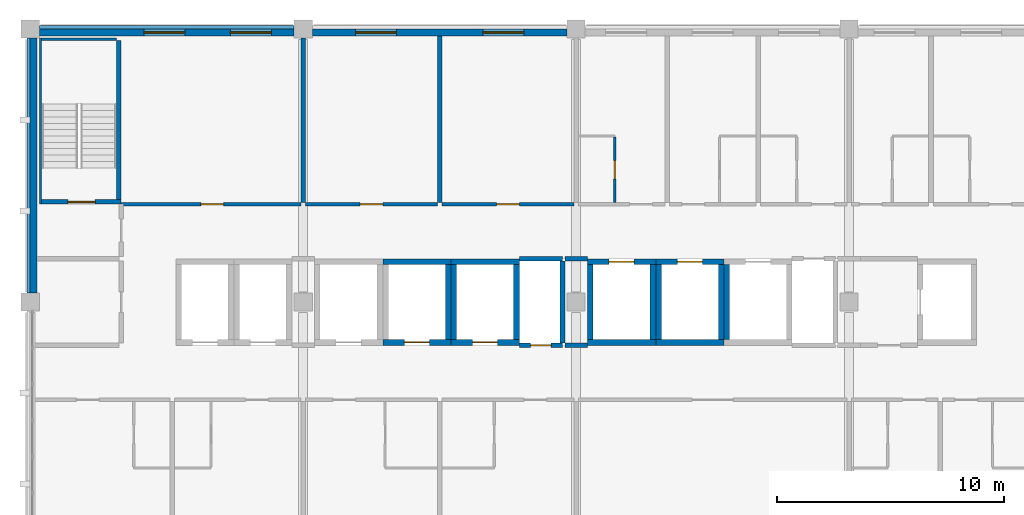
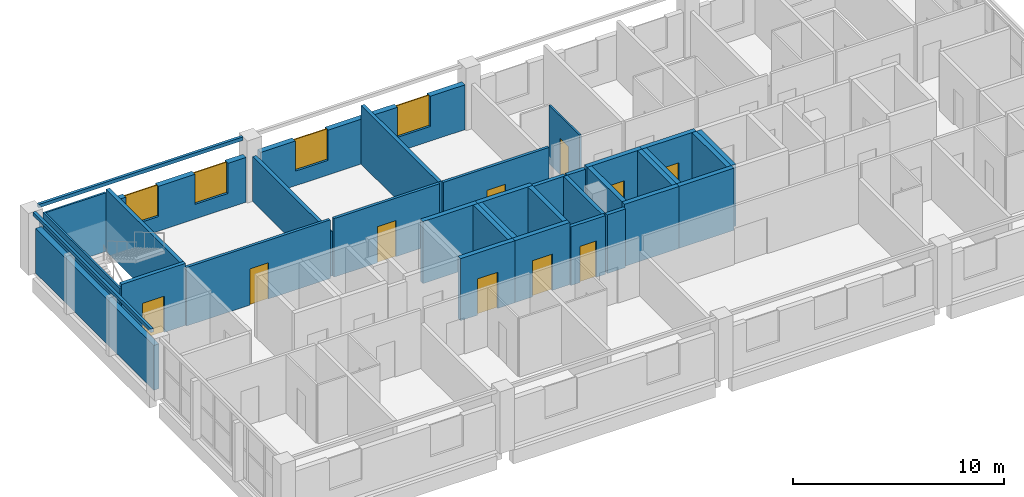
# One storey, part 7 of 11: 36 walls, 10 doors, 4 windows, 14 openings.
"""IFC4 building model written with IfcOpenShell, lengths in metres."""

from ifc_helpers import new_model, si_unit, direction, frame, frame_2d, origin, place, context, subcontext, project, spatial, rectangle, extrude, material, layer, layer_set, type_object, element, fill, save


model = new_model("IFC4")

# Units and contexts
model_context = context("Model", 3, precision=1e-05, world=origin(), true_north=direction((0.0, 1.0)))
body_context = subcontext(model_context, "Body", "Model", "MODEL_VIEW")
ifc_project = project(units=[si_unit("LENGTHUNIT", "METRE"), si_unit("AREAUNIT", "SQUARE_METRE"), si_unit("VOLUMEUNIT", "CUBIC_METRE"), si_unit("PLANEANGLEUNIT", "RADIAN"), si_unit("MASSUNIT", "GRAM", prefix="KILO")], contexts=[model_context])

# Site, building, storey
site_placement = place(None, origin())
site = spatial("IfcSite", under=ifc_project, at=site_placement, CompositionType="ELEMENT")
building_placement = place(site_placement, origin())
building = spatial("IfcBuilding", under=site, at=building_placement, Name="Lilac Gate Convention Centre", CompositionType="ELEMENT")
storey_placement = place(building_placement, frame((0.0, 0.0, 35.39990234375)))
storey = spatial("IfcBuildingStorey", under=building, at=storey_placement, Name="L08", CompositionType="ELEMENT", Elevation=35.39990234375)

# Walls
ifc_material_1 = material(Name="Concrete C50", Category="concrete")
ifc_layer_1 = layer(ifc_material_1, 0.10009765625)
ifc_layer_set_1 = layer_set([ifc_layer_1], Name="Concrete C50")
wall_type_1 = type_object("IfcWallType", Name="Core wall 100 C50", PredefinedType="SHEAR", material=ifc_layer_set_1)
wall_1_placement = place(storey_placement, frame((42.449951171875, 238.300048828125, 0.0), z_axis=(0.0, 0.0, 1.0), x_axis=(0.0, 1.0, 0.0)))
element("IfcWall", 1, at=wall_1_placement, inside=storey, type_object=wall_type_1, Name="CRW9 core wall TS-WX L08 1", PredefinedType="SHEAR", context=body_context, shape_type="SweptSolid", body=[
    extrude(rectangle(XDim=7.300048828125, YDim=0.10009765625, at=frame_2d((3.64990234375, 0.0))), origin(), (0.0, 0.0, 1.0), 3.400146484375),
])
wall_2_placement = place(storey_placement, frame((42.5, 245.550048828125, 0.0), z_axis=(0.0, 0.0, 1.0), x_axis=(1.0, 0.0, 0.0)))
element("IfcWall", 2, at=wall_2_placement, inside=storey, type_object=wall_type_1, Name="CRW9 core wall TS-WX L08 2", PredefinedType="SHEAR", context=body_context, shape_type="SweptSolid", body=[
    extrude(rectangle(XDim=3.300048828125, YDim=0.10009765625, at=frame_2d((1.64990234375, 0.0))), origin(), (0.0, 0.0, 1.0), 3.400146484375),
])

# Wall, opening, door
ifc_layer_2 = layer(ifc_material_1, 0.199951171875)
ifc_layer_set_2 = layer_set([ifc_layer_2], Name="Concrete C50")
wall_type_2 = type_object("IfcWallType", Name="Core wall 200 C50", PredefinedType="SHEAR", material=ifc_layer_set_2)
wall_3_placement = place(storey_placement, frame((42.5, 238.39990234375, 0.0), z_axis=(0.0, 0.0, 1.0), x_axis=(1.0, 0.0, 0.0)))
wall_3 = element("IfcWall", 3, at=wall_3_placement, inside=storey, type_object=wall_type_2, Name="CRW6 core wall TS-W L08 1", PredefinedType="SHEAR", context=body_context, shape_type="SweptSolid", body=[
    extrude(rectangle(XDim=3.5, YDim=0.199951171875, at=frame_2d((1.75, 0.0))), origin(), (0.0, 0.0, 1.0), 3.60009765625),
])
opening_1_placement = place(wall_3_placement, frame((1.14990234375, 0.0, 0.0)))
opening_1 = element("IfcOpeningElement", 4, at=opening_1_placement, cuts=wall_3, Name="Opening T07-045", PredefinedType="OPENING", context=body_context, shape_type="SweptSolid", body=[
    extrude(rectangle(XDim=1.199951171875, YDim=2.10009765625, at=frame_2d((0.60009765625, 1.050048828125))), frame((0.0, 0.10986328125, 0.0), z_axis=(0.0, -1.0, 0.0), x_axis=(1.0, 0.0, 0.0)), (0.0, 0.0, 1.0), 0.219970703125),
])
ifc_material_2 = material(Name="Steel Q235B", Category="steel")
door_type_1 = type_object("IfcDoorType", Name="Stair door 1200", OperationType="SINGLE_SWING_LEFT", PredefinedType="DOOR", material=ifc_material_2)
door_1_placement = place(opening_1_placement, origin())
door_1 = element("IfcDoor", 5, at=door_1_placement, inside=storey, type_object=door_type_1, Name="Stair door NW L08", OperationType="SINGLE_SWING_RIGHT", OverallHeight=2.10009765625, OverallWidth=1.199951171875, PredefinedType="DOOR", context=body_context, shape_type="SweptSolid", body=[
    extrude(rectangle(XDim=1.199951171875, YDim=2.10009765625, at=frame_2d((0.60009765625, 1.050048828125))), frame((0.0, 0.02490234375, 0.0), z_axis=(0.0, -1.0, 0.0), x_axis=(1.0, 0.0, 0.0)), (0.0, 0.0, 1.0), 0.050048828125),
])
fill(opening_1, door_1)

# Wall
wall_4_placement = place(storey_placement, frame((45.89990234375, 238.5, 0.0), z_axis=(0.0, 0.0, 1.0), x_axis=(0.0, 1.0, 0.0)))
element("IfcWall", 6, at=wall_4_placement, inside=storey, type_object=wall_type_2, Name="CRW6 core wall TS-W L08 2", PredefinedType="SHEAR", context=body_context, shape_type="SweptSolid", body=[
    extrude(rectangle(XDim=7.0, YDim=0.199951171875, at=frame_2d((3.5, 0.0))), origin(), (0.0, 0.0, 1.0), 3.60009765625),
])

# Wall, opening, door
ifc_layer_3 = layer(ifc_material_1, 0.25)
ifc_layer_set_3 = layer_set([ifc_layer_3], Name="Concrete C50")
wall_type_3 = type_object("IfcWallType", Name="Core wall 250 C50", PredefinedType="SHEAR", material=ifc_layer_set_3)
wall_5_placement = place(storey_placement, frame((57.5, 232.22509765625, 0.0), z_axis=(0.0, 0.0, 1.0), x_axis=(1.0, 0.0, 0.0)))
wall_5 = element("IfcWall", 7, at=wall_5_placement, inside=storey, type_object=wall_type_3, Name="CRW4 core wall TC L08 5", PredefinedType="SHEAR", context=body_context, shape_type="SweptSolid", body=[
    extrude(rectangle(XDim=3.0, YDim=0.25, at=frame_2d((1.5, 0.0))), origin(), (0.0, 0.0, 1.0), 3.60009765625),
])
opening_2_placement = place(wall_5_placement, frame((0.949951171875, 0.0, 0.0)))
opening_2 = element("IfcOpeningElement", 8, at=opening_2_placement, cuts=wall_5, Name="Opening T07-037", PredefinedType="OPENING", context=body_context, shape_type="SweptSolid", body=[
    extrude(rectangle(XDim=1.10009765625, YDim=2.10009765625, at=frame_2d((0.550048828125, 1.050048828125))), frame((0.0, 0.135009765625, 0.0), z_axis=(0.0, -1.0, 0.0), x_axis=(1.0, 0.0, 0.0)), (0.0, 0.0, 1.0), 0.27001953125),
])
ifc_material_3 = material(Name="Stainless steel 304", Category="steel")
door_type_2 = type_object("IfcDoorType", Name="Lift landing door 1100", OperationType="SLIDING_TO_LEFT", PredefinedType="DOOR", material=ifc_material_3)
door_2_placement = place(opening_2_placement, origin())
door_2 = element("IfcDoor", 9, at=door_2_placement, inside=storey, type_object=door_type_2, Name="Lift landing door TP2 L08", OperationType="SLIDING_TO_LEFT", OverallHeight=2.10009765625, OverallWidth=1.10009765625, PredefinedType="DOOR", context=body_context, shape_type="SweptSolid", body=[
    extrude(rectangle(XDim=1.10009765625, YDim=2.10009765625, at=frame_2d((0.550048828125, 1.050048828125))), frame((0.0, 0.02490234375, 0.0), z_axis=(0.0, -1.0, 0.0), x_axis=(1.0, 0.0, 0.0)), (0.0, 0.0, 1.0), 0.050048828125),
])
fill(opening_2, door_2)

# Walls
wall_6_placement = place(storey_placement, frame((57.5, 235.77490234375, 0.0), z_axis=(0.0, 0.0, 1.0), x_axis=(1.0, 0.0, 0.0)))
element("IfcWall", 10, at=wall_6_placement, inside=storey, type_object=wall_type_3, Name="CRW4 core wall TC L08 6", PredefinedType="SHEAR", context=body_context, shape_type="SweptSolid", body=[
    extrude(rectangle(XDim=3.0, YDim=0.25, at=frame_2d((1.5, 0.0))), origin(), (0.0, 0.0, 1.0), 3.60009765625),
])
wall_7_placement = place(storey_placement, frame((60.375, 232.35009765625, 0.0), z_axis=(0.0, 0.0, 1.0), x_axis=(0.0, 1.0, 0.0)))
element("IfcWall", 11, at=wall_7_placement, inside=storey, type_object=wall_type_3, Name="CRW4 core wall TC L08 8", PredefinedType="SHEAR", context=body_context, shape_type="SweptSolid", body=[
    extrude(rectangle(XDim=3.2998046875, YDim=0.25, at=frame_2d((1.64990234375, 0.0))), origin(), (0.0, 0.0, 1.0), 3.60009765625),
])

# Wall, opening, door
wall_8_placement = place(storey_placement, frame((60.5, 232.22509765625, 0.0), z_axis=(0.0, 0.0, 1.0), x_axis=(1.0, 0.0, 0.0)))
wall_8 = element("IfcWall", 12, at=wall_8_placement, inside=storey, type_object=wall_type_3, Name="CRW4 core wall TC L08 9", PredefinedType="SHEAR", context=body_context, shape_type="SweptSolid", body=[
    extrude(rectangle(XDim=3.0, YDim=0.25, at=frame_2d((1.5, 0.0))), origin(), (0.0, 0.0, 1.0), 3.60009765625),
])
opening_3_placement = place(wall_8_placement, frame((0.949951171875, 0.0, 0.0)))
opening_3 = element("IfcOpeningElement", 13, at=opening_3_placement, cuts=wall_8, Name="Opening T07-038", PredefinedType="OPENING", context=body_context, shape_type="SweptSolid", body=[
    extrude(rectangle(XDim=1.10009765625, YDim=2.10009765625, at=frame_2d((0.550048828125, 1.050048828125))), frame((0.0, 0.135009765625, 0.0), z_axis=(0.0, -1.0, 0.0), x_axis=(1.0, 0.0, 0.0)), (0.0, 0.0, 1.0), 0.27001953125),
])
door_3_placement = place(opening_3_placement, origin())
door_3 = element("IfcDoor", 14, at=door_3_placement, inside=storey, type_object=door_type_2, Name="Lift landing door TP3 L08", OperationType="SLIDING_TO_LEFT", OverallHeight=2.10009765625, OverallWidth=1.10009765625, PredefinedType="DOOR", context=body_context, shape_type="SweptSolid", body=[
    extrude(rectangle(XDim=1.10009765625, YDim=2.10009765625, at=frame_2d((0.550048828125, 1.050048828125))), frame((0.0, 0.02490234375, 0.0), z_axis=(0.0, -1.0, 0.0), x_axis=(1.0, 0.0, 0.0)), (0.0, 0.0, 1.0), 0.050048828125),
])
fill(opening_3, door_3)

# Walls
wall_9_placement = place(storey_placement, frame((60.5, 235.77490234375, 0.0), z_axis=(0.0, 0.0, 1.0), x_axis=(1.0, 0.0, 0.0)))
element("IfcWall", 15, at=wall_9_placement, inside=storey, type_object=wall_type_3, Name="CRW4 core wall TC L08 10", PredefinedType="SHEAR", context=body_context, shape_type="SweptSolid", body=[
    extrude(rectangle(XDim=3.0, YDim=0.25, at=frame_2d((1.5, 0.0))), origin(), (0.0, 0.0, 1.0), 3.60009765625),
])
for number, where, z_axis, x_axis, name in (
    (16, (60.625, 232.35009765625, 0.0), (0.0, 0.0, 1.0), (0.0, 1.0, 0.0), "CRW4 core wall TC L08 11"),
    (17, (63.375, 232.35009765625, 0.0), (0.0, 0.0, 1.0), (0.0, 1.0, 0.0), "CRW4 core wall TC L08 12"),
):
    element("IfcWall", number, at=place(storey_placement, frame(where, z_axis=z_axis, x_axis=x_axis)), inside=storey, type_object=wall_type_3, Name=name, PredefinedType="SHEAR", context=body_context, shape_type="SweptSolid", body=[
        extrude(rectangle(XDim=3.2998046875, YDim=0.25, at=frame_2d((1.64990234375, 0.0))), origin(), (0.0, 0.0, 1.0), 3.60009765625),
    ])
wall_10_placement = place(storey_placement, frame((66.5, 232.22509765625, 0.0), z_axis=(0.0, 0.0, 1.0), x_axis=(1.0, 0.0, 0.0)))
element("IfcWall", 18, at=wall_10_placement, inside=storey, type_object=wall_type_3, Name="CRW4 core wall TC L08 13", PredefinedType="SHEAR", context=body_context, shape_type="SweptSolid", body=[
    extrude(rectangle(XDim=3.0, YDim=0.25, at=frame_2d((1.5, 0.0))), origin(), (0.0, 0.0, 1.0), 3.60009765625),
])

# Wall, opening, door
wall_11_placement = place(storey_placement, frame((66.5, 235.77490234375, 0.0), z_axis=(0.0, 0.0, 1.0), x_axis=(1.0, 0.0, 0.0)))
wall_11 = element("IfcWall", 19, at=wall_11_placement, inside=storey, type_object=wall_type_3, Name="CRW4 core wall TC L08 14", PredefinedType="SHEAR", context=body_context, shape_type="SweptSolid", body=[
    extrude(rectangle(XDim=3.0, YDim=0.25, at=frame_2d((1.5, 0.0))), origin(), (0.0, 0.0, 1.0), 3.60009765625),
])
opening_4_placement = place(wall_11_placement, frame((0.949951171875, 0.0, 0.0)))
opening_4 = element("IfcOpeningElement", 20, at=opening_4_placement, cuts=wall_11, Name="Opening T07-039", PredefinedType="OPENING", context=body_context, shape_type="SweptSolid", body=[
    extrude(rectangle(XDim=1.10009765625, YDim=2.10009765625, at=frame_2d((0.550048828125, 1.050048828125))), frame((0.0, 0.135009765625, 0.0), z_axis=(0.0, -1.0, 0.0), x_axis=(1.0, 0.0, 0.0)), (0.0, 0.0, 1.0), 0.27001953125),
])
door_4_placement = place(opening_4_placement, origin())
door_4 = element("IfcDoor", 21, at=door_4_placement, inside=storey, type_object=door_type_2, Name="Lift landing door TP4 L08", OperationType="SLIDING_TO_LEFT", OverallHeight=2.10009765625, OverallWidth=1.10009765625, PredefinedType="DOOR", context=body_context, shape_type="SweptSolid", body=[
    extrude(rectangle(XDim=1.10009765625, YDim=2.10009765625, at=frame_2d((0.550048828125, 1.050048828125))), frame((0.0, 0.02490234375, 0.0), z_axis=(0.0, -1.0, 0.0), x_axis=(1.0, 0.0, 0.0)), (0.0, 0.0, 1.0), 0.050048828125),
])
fill(opening_4, door_4)

# Walls
for number, where, z_axis, x_axis, name in (
    (22, (66.625, 232.35009765625, 0.0), (0.0, 0.0, 1.0), (0.0, 1.0, 0.0), "CRW4 core wall TC L08 15"),
    (23, (69.375, 232.35009765625, 0.0), (0.0, 0.0, 1.0), (0.0, 1.0, 0.0), "CRW4 core wall TC L08 16"),
):
    element("IfcWall", number, at=place(storey_placement, frame(where, z_axis=z_axis, x_axis=x_axis)), inside=storey, type_object=wall_type_3, Name=name, PredefinedType="SHEAR", context=body_context, shape_type="SweptSolid", body=[
        extrude(rectangle(XDim=3.2998046875, YDim=0.25, at=frame_2d((1.64990234375, 0.0))), origin(), (0.0, 0.0, 1.0), 3.60009765625),
    ])
wall_12_placement = place(storey_placement, frame((69.5, 232.22509765625, 0.0), z_axis=(0.0, 0.0, 1.0), x_axis=(1.0, 0.0, 0.0)))
element("IfcWall", 24, at=wall_12_placement, inside=storey, type_object=wall_type_3, Name="CRW4 core wall TC L08 17", PredefinedType="SHEAR", context=body_context, shape_type="SweptSolid", body=[
    extrude(rectangle(XDim=3.0, YDim=0.25, at=frame_2d((1.5, 0.0))), origin(), (0.0, 0.0, 1.0), 3.60009765625),
])

# Wall, opening, door
wall_13_placement = place(storey_placement, frame((69.5, 235.77490234375, 0.0), z_axis=(0.0, 0.0, 1.0), x_axis=(1.0, 0.0, 0.0)))
wall_13 = element("IfcWall", 25, at=wall_13_placement, inside=storey, type_object=wall_type_3, Name="CRW4 core wall TC L08 18", PredefinedType="SHEAR", context=body_context, shape_type="SweptSolid", body=[
    extrude(rectangle(XDim=3.0, YDim=0.25, at=frame_2d((1.5, 0.0))), origin(), (0.0, 0.0, 1.0), 3.60009765625),
])
opening_5_placement = place(wall_13_placement, frame((0.949951171875, 0.0, 0.0)))
opening_5 = element("IfcOpeningElement", 26, at=opening_5_placement, cuts=wall_13, Name="Opening T07-040", PredefinedType="OPENING", context=body_context, shape_type="SweptSolid", body=[
    extrude(rectangle(XDim=1.10009765625, YDim=2.10009765625, at=frame_2d((0.550048828125, 1.050048828125))), frame((0.0, 0.135009765625, 0.0), z_axis=(0.0, -1.0, 0.0), x_axis=(1.0, 0.0, 0.0)), (0.0, 0.0, 1.0), 0.27001953125),
])
door_5_placement = place(opening_5_placement, origin())
door_5 = element("IfcDoor", 27, at=door_5_placement, inside=storey, type_object=door_type_2, Name="Lift landing door TP5 L08", OperationType="SLIDING_TO_LEFT", OverallHeight=2.10009765625, OverallWidth=1.10009765625, PredefinedType="DOOR", context=body_context, shape_type="SweptSolid", body=[
    extrude(rectangle(XDim=1.10009765625, YDim=2.10009765625, at=frame_2d((0.550048828125, 1.050048828125))), frame((0.0, 0.02490234375, 0.0), z_axis=(0.0, -1.0, 0.0), x_axis=(1.0, 0.0, 0.0)), (0.0, 0.0, 1.0), 0.050048828125),
])
fill(opening_5, door_5)

# Walls
for number, where, z_axis, x_axis, name in (
    (28, (69.625, 232.35009765625, 0.0), (0.0, 0.0, 1.0), (0.0, 1.0, 0.0), "CRW4 core wall TC L08 19"),
    (29, (72.375, 232.35009765625, 0.0), (0.0, 0.0, 1.0), (0.0, 1.0, 0.0), "CRW4 core wall TC L08 20"),
    (30, (72.625, 232.35009765625, 0.0), (0.0, 0.0, 1.0), (0.0, 1.0, 0.0), "CRW4 core wall TC L08 23"),
):
    element("IfcWall", number, at=place(storey_placement, frame(where, z_axis=z_axis, x_axis=x_axis)), inside=storey, type_object=wall_type_3, Name=name, PredefinedType="SHEAR", context=body_context, shape_type="SweptSolid", body=[
        extrude(rectangle(XDim=3.2998046875, YDim=0.25, at=frame_2d((1.64990234375, 0.0))), origin(), (0.0, 0.0, 1.0), 3.60009765625),
    ])

# Wall, opening, door
ifc_material_4 = material(Name="Gypsum board on steel stud", Category="steel")
ifc_layer_4 = layer(ifc_material_4, 0.14990234375)
ifc_layer_set_4 = layer_set([ifc_layer_4], Name="Gypsum board on steel stud")
wall_type_4 = type_object("IfcWallType", Name="Corridor wall 150", PredefinedType="PARTITIONING", material=ifc_layer_set_4)
wall_14_placement = place(storey_placement, frame((46.0, 238.300048828125, 0.0), z_axis=(0.0, 0.0, 1.0), x_axis=(1.0, 0.0, 0.0)))
wall_14 = element("IfcWall", 31, at=wall_14_placement, inside=storey, type_object=wall_type_4, Name="Corridor wall 150 front 0808", PredefinedType="PARTITIONING", context=body_context, shape_type="SweptSolid", body=[
    extrude(rectangle(XDim=7.89990234375, YDim=0.14990234375, at=frame_2d((3.949951171875, 0.0))), origin(), (0.0, 0.0, 1.0), 3.400146484375),
])
opening_6_placement = place(wall_14_placement, frame((3.5, 0.0, 0.0)))
opening_6 = element("IfcOpeningElement", 32, at=opening_6_placement, cuts=wall_14, Name="Opening T07-021", PredefinedType="OPENING", context=body_context, shape_type="SweptSolid", body=[
    extrude(rectangle(XDim=1.0, YDim=2.10009765625, at=frame_2d((0.5, 1.050048828125))), frame((0.0, 0.0849609375, 0.0), z_axis=(0.0, -1.0, 0.0), x_axis=(1.0, 0.0, 0.0)), (0.0, 0.0, 1.0), 0.169921875),
])
ifc_material_5 = material(Name="Timber", Category="wood")
door_type_3 = type_object("IfcDoorType", Name="Room door 1000", OperationType="SINGLE_SWING_LEFT", PredefinedType="DOOR", material=ifc_material_5)
door_6_placement = place(opening_6_placement, origin())
door_6 = element("IfcDoor", 33, at=door_6_placement, inside=storey, type_object=door_type_3, Name="Business Centre door", OperationType="SINGLE_SWING_RIGHT", OverallHeight=2.10009765625, OverallWidth=1.0, PredefinedType="DOOR", context=body_context, shape_type="SweptSolid", body=[
    extrude(rectangle(XDim=1.0, YDim=2.10009765625, at=frame_2d((0.5, 1.050048828125))), frame((0.0, 0.02490234375, 0.0), z_axis=(0.0, -1.0, 0.0), x_axis=(1.0, 0.0, 0.0)), (0.0, 0.0, 1.0), 0.050048828125),
])
fill(opening_6, door_6)

wall_15_placement = place(storey_placement, frame((54.10009765625, 238.300048828125, 0.0), z_axis=(0.0, 0.0, 1.0), x_axis=(1.0, 0.0, 0.0)))
wall_15 = element("IfcWall", 34, at=wall_15_placement, inside=storey, type_object=wall_type_4, Name="Corridor wall 150 front 0809", PredefinedType="PARTITIONING", context=body_context, shape_type="SweptSolid", body=[
    extrude(rectangle(XDim=5.7998046875, YDim=0.14990234375, at=frame_2d((2.89990234375, 0.0))), origin(), (0.0, 0.0, 1.0), 3.400146484375),
])
opening_7_placement = place(wall_15_placement, frame((2.39990234375, 0.0, 0.0)))
opening_7 = element("IfcOpeningElement", 35, at=opening_7_placement, cuts=wall_15, Name="Opening T07-022", PredefinedType="OPENING", context=body_context, shape_type="SweptSolid", body=[
    extrude(rectangle(XDim=1.0, YDim=2.10009765625, at=frame_2d((0.5, 1.050048828125))), frame((0.0, 0.0849609375, 0.0), z_axis=(0.0, -1.0, 0.0), x_axis=(1.0, 0.0, 0.0)), (0.0, 0.0, 1.0), 0.169921875),
])
door_7_placement = place(opening_7_placement, origin())
door_7 = element("IfcDoor", 36, at=door_7_placement, inside=storey, type_object=door_type_3, Name="Meeting Room door", OperationType="SINGLE_SWING_LEFT", OverallHeight=2.10009765625, OverallWidth=1.0, PredefinedType="DOOR", context=body_context, shape_type="SweptSolid", body=[
    extrude(rectangle(XDim=1.0, YDim=2.10009765625, at=frame_2d((0.5, 1.050048828125))), frame((0.0, 0.02490234375, 0.0), z_axis=(0.0, -1.0, 0.0), x_axis=(1.0, 0.0, 0.0)), (0.0, 0.0, 1.0), 0.050048828125),
])
fill(opening_7, door_7)

wall_16_placement = place(storey_placement, frame((60.10009765625, 238.300048828125, 0.0), z_axis=(0.0, 0.0, 1.0), x_axis=(1.0, 0.0, 0.0)))
wall_16 = element("IfcWall", 37, at=wall_16_placement, inside=storey, type_object=wall_type_4, Name="Corridor wall 150 front 0810", PredefinedType="PARTITIONING", context=body_context, shape_type="SweptSolid", body=[
    extrude(rectangle(XDim=5.7998046875, YDim=0.14990234375, at=frame_2d((2.89990234375, 0.0))), origin(), (0.0, 0.0, 1.0), 3.400146484375),
])
opening_8_placement = place(wall_16_placement, frame((2.39990234375, 0.0, 0.0)))
opening_8 = element("IfcOpeningElement", 38, at=opening_8_placement, cuts=wall_16, Name="Opening T07-023", PredefinedType="OPENING", context=body_context, shape_type="SweptSolid", body=[
    extrude(rectangle(XDim=1.0, YDim=2.10009765625, at=frame_2d((0.5, 1.050048828125))), frame((0.0, 0.0849609375, 0.0), z_axis=(0.0, -1.0, 0.0), x_axis=(1.0, 0.0, 0.0)), (0.0, 0.0, 1.0), 0.169921875),
])
door_8_placement = place(opening_8_placement, origin())
door_8 = element("IfcDoor", 39, at=door_8_placement, inside=storey, type_object=door_type_3, Name="Meeting Room door", OperationType="SINGLE_SWING_LEFT", OverallHeight=2.10009765625, OverallWidth=1.0, PredefinedType="DOOR", context=body_context, shape_type="SweptSolid", body=[
    extrude(rectangle(XDim=1.0, YDim=2.10009765625, at=frame_2d((0.5, 1.050048828125))), frame((0.0, 0.02490234375, 0.0), z_axis=(0.0, -1.0, 0.0), x_axis=(1.0, 0.0, 0.0)), (0.0, 0.0, 1.0), 0.050048828125),
])
fill(opening_8, door_8)

ifc_layer_5 = layer(ifc_material_4, 0.10009765625)
ifc_layer_set_5 = layer_set([ifc_layer_5], Name="Gypsum board on steel stud")
wall_type_5 = type_object("IfcWallType", Name="En-suite wall 100", PredefinedType="PARTITIONING", material=ifc_layer_set_5)
wall_17_placement = place(storey_placement, frame((67.699951171875, 241.25, 0.0), z_axis=(0.0, 0.0, 1.0), x_axis=(0.0, -1.0, 0.0)))
wall_17 = element("IfcWall", 40, at=wall_17_placement, inside=storey, type_object=wall_type_5, Name="En-suite wall 100 bath side 0811", PredefinedType="PARTITIONING", context=body_context, shape_type="SweptSolid", body=[
    extrude(rectangle(XDim=2.875, YDim=0.10009765625, at=frame_2d((1.4375, 0.0))), origin(), (0.0, 0.0, 1.0), 3.400146484375),
])
opening_9_placement = place(wall_17_placement, frame((1.03759765625, 0.0, 0.0)))
opening_9 = element("IfcOpeningElement", 41, at=opening_9_placement, cuts=wall_17, Name="Opening T07-025", PredefinedType="OPENING", context=body_context, shape_type="SweptSolid", body=[
    extrude(rectangle(XDim=0.800048828125, YDim=2.10009765625, at=frame_2d((0.39990234375, 1.050048828125))), frame((0.0, 0.06005859375, 0.0), z_axis=(0.0, -1.0, 0.0), x_axis=(1.0, 0.0, 0.0)), (0.0, 0.0, 1.0), 0.1201171875),
])
door_type_4 = type_object("IfcDoorType", Name="En-suite door 800", OperationType="SINGLE_SWING_LEFT", PredefinedType="DOOR", material=ifc_material_5)
door_9_placement = place(opening_9_placement, origin())
door_9 = element("IfcDoor", 42, at=door_9_placement, inside=storey, type_object=door_type_4, Name="En-suite door 0811", OperationType="SINGLE_SWING_RIGHT", OverallHeight=2.10009765625, OverallWidth=0.800048828125, PredefinedType="DOOR", context=body_context, shape_type="SweptSolid", body=[
    extrude(rectangle(XDim=0.800048828125, YDim=2.10009765625, at=frame_2d((0.39990234375, 1.050048828125))), frame((0.0, 0.02490234375, 0.0), z_axis=(0.0, -1.0, 0.0), x_axis=(1.0, 0.0, 0.0)), (0.0, 0.0, 1.0), 0.050048828125),
])
fill(opening_9, door_9)

# Walls
ifc_layer_6 = layer(ifc_material_4, 0.199951171875)
ifc_layer_set_6 = layer_set([ifc_layer_6], Name="Gypsum board on steel stud")
wall_type_6 = type_object("IfcWallType", Name="Guest room party wall 200", PredefinedType="PARTITIONING", material=ifc_layer_set_6)
wall_18_placement = place(storey_placement, frame((54.0, 245.60009765625, 0.0), z_axis=(0.0, 0.0, 1.0), x_axis=(0.0, -1.0, 0.0)))
element("IfcWall", 43, at=wall_18_placement, inside=storey, type_object=wall_type_6, Name="Guest room party wall 200 party 54.0", PredefinedType="PARTITIONING", context=body_context, shape_type="SweptSolid", body=[
    extrude(rectangle(XDim=7.22509765625, YDim=0.199951171875, at=frame_2d((3.612548828125, 0.0))), origin(), (0.0, 0.0, 1.0), 2.60009765625),
])
wall_19_placement = place(storey_placement, frame((60.0, 245.7001953125, 0.0), z_axis=(0.0, 0.0, 1.0), x_axis=(0.0, -1.0, 0.0)))
element("IfcWall", 44, at=wall_19_placement, inside=storey, type_object=wall_type_6, Name="Guest room party wall 200 party 60.0", PredefinedType="PARTITIONING", context=body_context, shape_type="SweptSolid", body=[
    extrude(rectangle(XDim=7.3251953125, YDim=0.199951171875, at=frame_2d((3.66259765625, 0.0))), origin(), (0.0, 0.0, 1.0), 3.400146484375),
])
ifc_material_6 = material(Name="Concrete C40 precast", Category="concrete")
ifc_layer_7 = layer(ifc_material_6, 0.1298828125)
ifc_material_7 = material(Name="Terracotta glazed cladding", Category="masonry")
ifc_layer_8 = layer(ifc_material_7, 0.02001953125)
ifc_layer_set_7 = layer_set([ifc_layer_7, ifc_layer_8], Name="Concrete C40 precast, Terracotta glazed cladding")
wall_type_7 = type_object("IfcWallType", Name="Precast band terracotta 150", PredefinedType="STANDARD", material=ifc_layer_set_7)
for number, where, z_axis, x_axis, name in (
    (45, (53.60009765625, 246.074951171875, 3.400146484375), (0.0, 0.0, 1.0), (-1.0, 0.0, 0.0), "Precast band N L08 4"),
    (46, (41.925048828125, 245.60009765625, 3.400146484375), (0.0, 0.0, 1.0), (0.0, -1.0, 0.0), "Precast band W L08 1"),
):
    element("IfcWall", number, at=place(storey_placement, frame(where, z_axis=z_axis, x_axis=x_axis)), inside=storey, type_object=wall_type_7, Name=name, PredefinedType="STANDARD", context=body_context, shape_type="SweptSolid", body=[
        extrude(rectangle(XDim=11.2001953125, YDim=0.14990234375, at=frame_2d((5.60009765625, 0.0))), origin(), (0.0, 0.0, 1.0), 0.199951171875),
    ])

# Wall, openings, windows
ifc_layer_9 = layer(ifc_material_7, 0.02001953125)
ifc_layer_10 = layer(ifc_material_6, 0.06005859375)
ifc_material_8 = material(Name="Ventilated air cavity")
ifc_layer_11 = layer(ifc_material_8, 0.030029296875)
ifc_material_9 = material(Name="Mineral wool insulation")
ifc_layer_12 = layer(ifc_material_9, 0.1201171875)
ifc_material_10 = material(Name="Steel stud Q345 and gypsum lining", Category="steel")
ifc_layer_13 = layer(ifc_material_10, 0.070068359375)
ifc_layer_set_8 = layer_set([ifc_layer_9, ifc_layer_10, ifc_layer_11, ifc_layer_12, ifc_layer_13], Name="Terracotta glazed cladding, Concrete C40 precast, Ventilated air cavity, Mineral wool insulation, Steel stud Q345 and gypsum lining")
wall_type_8 = type_object("IfcWallType", Name="Precast panel wall terracotta 300", PredefinedType="STANDARD", material=ifc_layer_set_8)
wall_20_placement = place(storey_placement, frame((65.60009765625, 245.85009765625, 0.0), z_axis=(0.0, 0.0, 1.0), x_axis=(-1.0, 0.0, 0.0)))
wall_20 = element("IfcWall", 47, at=wall_20_placement, inside=storey, type_object=wall_type_8, Name="External wall N L08 3", PredefinedType="STANDARD", context=body_context, shape_type="SweptSolid", body=[
    extrude(rectangle(XDim=11.2001953125, YDim=0.300048828125, at=frame_2d((5.60009765625, 0.0))), origin(), (0.0, 0.0, 1.0), 2.60009765625),
])
opening_10_placement = place(wall_20_placement, frame((7.5, 0.0, 0.85009765625)))
opening_10 = element("IfcOpeningElement", 48, at=opening_10_placement, cuts=wall_20, Name="Opening W1", PredefinedType="OPENING", context=body_context, shape_type="SweptSolid", body=[
    extrude(rectangle(XDim=1.800048828125, YDim=1.75, at=frame_2d((0.89990234375, 0.875))), frame((0.0, 0.159912109375, 0.0), z_axis=(0.0, -1.0, 0.0), x_axis=(1.0, 0.0, 0.0)), (0.0, 0.0, 1.0), 0.320068359375),
])
opening_11_placement = place(wall_20_placement, frame((1.89990234375, 0.0, 0.85009765625)))
opening_11 = element("IfcOpeningElement", 49, at=opening_11_placement, cuts=wall_20, Name="Opening W1", PredefinedType="OPENING", context=body_context, shape_type="SweptSolid", body=[
    extrude(rectangle(XDim=1.800048828125, YDim=1.75, at=frame_2d((0.89990234375, 0.875))), frame((0.0, 0.159912109375, 0.0), z_axis=(0.0, -1.0, 0.0), x_axis=(1.0, 0.0, 0.0)), (0.0, 0.0, 1.0), 0.320068359375),
])
ifc_material_11 = material(Name="Aluminium framed double glazing", Category="aluminium")
window_type = type_object("IfcWindowType", Name="Guest room window 1800 x 1750", PartitioningType="DOUBLE_PANEL_VERTICAL", PredefinedType="WINDOW", material=ifc_material_11)
window_1_placement = place(opening_10_placement, origin())
window_1 = element("IfcWindow", 50, at=window_1_placement, inside=storey, type_object=window_type, Name="Window Guest N L08", OverallHeight=1.75, OverallWidth=1.800048828125, PartitioningType="SINGLE_PANEL", PredefinedType="WINDOW", context=body_context, shape_type="SweptSolid", body=[
    extrude(rectangle(XDim=1.800048828125, YDim=1.75, at=frame_2d((0.89990234375, 0.875))), frame((0.0, 0.030029296875, 0.0), z_axis=(0.0, -1.0, 0.0), x_axis=(1.0, 0.0, 0.0)), (0.0, 0.0, 1.0), 0.06005859375),
])
fill(opening_10, window_1)
window_2_placement = place(opening_11_placement, origin())
window_2 = element("IfcWindow", 51, at=window_2_placement, inside=storey, type_object=window_type, Name="Window Guest N L08", OverallHeight=1.75, OverallWidth=1.800048828125, PartitioningType="SINGLE_PANEL", PredefinedType="WINDOW", context=body_context, shape_type="SweptSolid", body=[
    extrude(rectangle(XDim=1.800048828125, YDim=1.75, at=frame_2d((0.89990234375, 0.875))), frame((0.0, 0.030029296875, 0.0), z_axis=(0.0, -1.0, 0.0), x_axis=(1.0, 0.0, 0.0)), (0.0, 0.0, 1.0), 0.06005859375),
])
fill(opening_11, window_2)

wall_21_placement = place(storey_placement, frame((53.60009765625, 245.85009765625, 0.0), z_axis=(0.0, 0.0, 1.0), x_axis=(-1.0, 0.0, 0.0)))
wall_21 = element("IfcWall", 52, at=wall_21_placement, inside=storey, type_object=wall_type_8, Name="External wall N L08 4", PredefinedType="STANDARD", context=body_context, shape_type="SweptSolid", body=[
    extrude(rectangle(XDim=11.2001953125, YDim=0.300048828125, at=frame_2d((5.60009765625, 0.0))), origin(), (0.0, 0.0, 1.0), 2.60009765625),
])
opening_12_placement = place(wall_21_placement, frame((1.0, 0.0, 0.85009765625)))
opening_12 = element("IfcOpeningElement", 53, at=opening_12_placement, cuts=wall_21, Name="Opening W1", PredefinedType="OPENING", context=body_context, shape_type="SweptSolid", body=[
    extrude(rectangle(XDim=1.800048828125, YDim=1.75, at=frame_2d((0.89990234375, 0.875))), frame((0.0, 0.159912109375, 0.0), z_axis=(0.0, -1.0, 0.0), x_axis=(1.0, 0.0, 0.0)), (0.0, 0.0, 1.0), 0.320068359375),
])
opening_13_placement = place(wall_21_placement, frame((4.800048828125, 0.0, 0.85009765625)))
opening_13 = element("IfcOpeningElement", 54, at=opening_13_placement, cuts=wall_21, Name="Opening W1", PredefinedType="OPENING", context=body_context, shape_type="SweptSolid", body=[
    extrude(rectangle(XDim=1.800048828125, YDim=1.75, at=frame_2d((0.89990234375, 0.875))), frame((0.0, 0.159912109375, 0.0), z_axis=(0.0, -1.0, 0.0), x_axis=(1.0, 0.0, 0.0)), (0.0, 0.0, 1.0), 0.320068359375),
])
window_3_placement = place(opening_12_placement, origin())
window_3 = element("IfcWindow", 55, at=window_3_placement, inside=storey, type_object=window_type, Name="Window Guest N L08", OverallHeight=1.75, OverallWidth=1.800048828125, PartitioningType="SINGLE_PANEL", PredefinedType="WINDOW", context=body_context, shape_type="SweptSolid", body=[
    extrude(rectangle(XDim=1.800048828125, YDim=1.75, at=frame_2d((0.89990234375, 0.875))), frame((0.0, 0.030029296875, 0.0), z_axis=(0.0, -1.0, 0.0), x_axis=(1.0, 0.0, 0.0)), (0.0, 0.0, 1.0), 0.06005859375),
])
fill(opening_12, window_3)
window_4_placement = place(opening_13_placement, origin())
window_4 = element("IfcWindow", 56, at=window_4_placement, inside=storey, type_object=window_type, Name="Window Guest N L08", OverallHeight=1.75, OverallWidth=1.800048828125, PartitioningType="SINGLE_PANEL", PredefinedType="WINDOW", context=body_context, shape_type="SweptSolid", body=[
    extrude(rectangle(XDim=1.800048828125, YDim=1.75, at=frame_2d((0.89990234375, 0.875))), frame((0.0, 0.030029296875, 0.0), z_axis=(0.0, -1.0, 0.0), x_axis=(1.0, 0.0, 0.0)), (0.0, 0.0, 1.0), 0.06005859375),
])
fill(opening_13, window_4)

# Wall
wall_22_placement = place(storey_placement, frame((42.14990234375, 245.60009765625, 0.0), z_axis=(0.0, 0.0, 1.0), x_axis=(0.0, -1.0, 0.0)))
element("IfcWall", 57, at=wall_22_placement, inside=storey, type_object=wall_type_8, Name="External wall W L08 1", PredefinedType="STANDARD", context=body_context, shape_type="SweptSolid", body=[
    extrude(rectangle(XDim=11.2001953125, YDim=0.300048828125, at=frame_2d((5.60009765625, 0.0))), origin(), (0.0, 0.0, 1.0), 2.60009765625),
])

# Wall, opening, door
ifc_layer_14 = layer(ifc_material_4, 0.199951171875)
ifc_layer_set_9 = layer_set([ifc_layer_14], Name="Gypsum board on steel stud")
wall_type_9 = type_object("IfcWallType", Name="Riser and store wall 200", PredefinedType="PARTITIONING", material=ifc_layer_set_9)
wall_23_placement = place(storey_placement, frame((63.5, 232.10009765625, 0.0), z_axis=(0.0, 0.0, 1.0), x_axis=(1.0, 0.0, 0.0)))
wall_23 = element("IfcWall", 58, at=wall_23_placement, inside=storey, type_object=wall_type_9, Name="Riser and store wall 200 RS1-S", PredefinedType="PARTITIONING", context=body_context, shape_type="SweptSolid", body=[
    extrude(rectangle(XDim=1.89990234375, YDim=0.199951171875, at=frame_2d((0.949951171875, 0.0))), origin(), (0.0, 0.0, 1.0), 3.400146484375),
])
opening_14_placement = place(wall_23_placement, frame((0.5, 0.0, 0.0)))
opening_14 = element("IfcOpeningElement", 59, at=opening_14_placement, cuts=wall_23, Name="Opening T07-002", PredefinedType="OPENING", context=body_context, shape_type="SweptSolid", body=[
    extrude(rectangle(XDim=0.89990234375, YDim=2.10009765625, at=frame_2d((0.449951171875, 1.050048828125))), frame((0.0, 0.10986328125, 0.0), z_axis=(0.0, -1.0, 0.0), x_axis=(1.0, 0.0, 0.0)), (0.0, 0.0, 1.0), 0.219970703125),
])
door_type_5 = type_object("IfcDoorType", Name="Riser and store door 900", OperationType="SINGLE_SWING_LEFT", PredefinedType="DOOR", material=ifc_material_2)
door_10_placement = place(opening_14_placement, origin())
door_10 = element("IfcDoor", 60, at=door_10_placement, inside=storey, type_object=door_type_5, Name="Riser room door", OperationType="SINGLE_SWING_RIGHT", OverallHeight=2.10009765625, OverallWidth=0.89990234375, PredefinedType="DOOR", context=body_context, shape_type="SweptSolid", body=[
    extrude(rectangle(XDim=0.89990234375, YDim=2.10009765625, at=frame_2d((0.449951171875, 1.050048828125))), frame((0.0, 0.02490234375, 0.0), z_axis=(0.0, -1.0, 0.0), x_axis=(1.0, 0.0, 0.0)), (0.0, 0.0, 1.0), 0.050048828125),
])
fill(opening_14, door_10)

# Walls
wall_24_placement = place(storey_placement, frame((65.5, 232.10009765625, 0.0), z_axis=(0.0, 0.0, 1.0), x_axis=(1.0, 0.0, 0.0)))
element("IfcWall", 61, at=wall_24_placement, inside=storey, type_object=wall_type_9, Name="Riser and store wall 200 NICHE2-S", PredefinedType="PARTITIONING", context=body_context, shape_type="SweptSolid", body=[
    extrude(rectangle(XDim=1.0, YDim=0.199951171875, at=frame_2d((0.5, 0.0))), origin(), (0.0, 0.0, 1.0), 3.400146484375),
])
wall_25_placement = place(storey_placement, frame((63.5, 235.89990234375, 0.0), z_axis=(0.0, 0.0, 1.0), x_axis=(1.0, 0.0, 0.0)))
element("IfcWall", 62, at=wall_25_placement, inside=storey, type_object=wall_type_9, Name="Riser and store wall 200 RS1-N", PredefinedType="PARTITIONING", context=body_context, shape_type="SweptSolid", body=[
    extrude(rectangle(XDim=1.89990234375, YDim=0.199951171875, at=frame_2d((0.949951171875, 0.0))), origin(), (0.0, 0.0, 1.0), 3.400146484375),
])
wall_26_placement = place(storey_placement, frame((65.5, 235.89990234375, 0.0), z_axis=(0.0, 0.0, 1.0), x_axis=(1.0, 0.0, 0.0)))
element("IfcWall", 63, at=wall_26_placement, inside=storey, type_object=wall_type_9, Name="Riser and store wall 200 NICHE2-N", PredefinedType="PARTITIONING", context=body_context, shape_type="SweptSolid", body=[
    extrude(rectangle(XDim=1.0, YDim=0.199951171875, at=frame_2d((0.5, 0.0))), origin(), (0.0, 0.0, 1.0), 3.400146484375),
])
wall_27_placement = place(storey_placement, frame((65.39990234375, 232.199951171875, 0.0), z_axis=(0.0, 0.0, 1.0), x_axis=(0.0, 1.0, 0.0)))
element("IfcWall", 64, at=wall_27_placement, inside=storey, type_object=wall_type_9, Name="Riser and store wall 200 RS1-E", PredefinedType="PARTITIONING", context=body_context, shape_type="SweptSolid", body=[
    extrude(rectangle(XDim=3.60009765625, YDim=0.199951171875, at=frame_2d((1.800048828125, 0.0))), origin(), (0.0, 0.0, 1.0), 3.400146484375),
])

save(model, "model.ifc")
